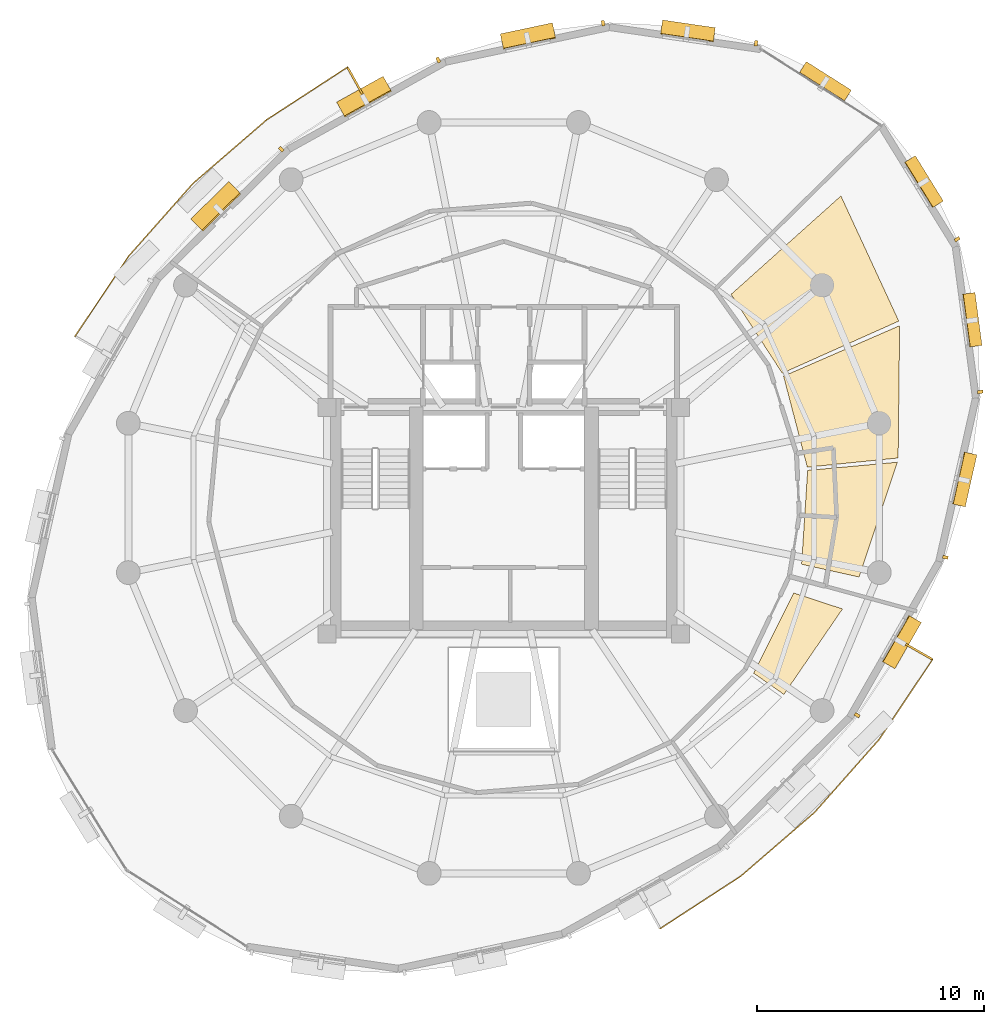
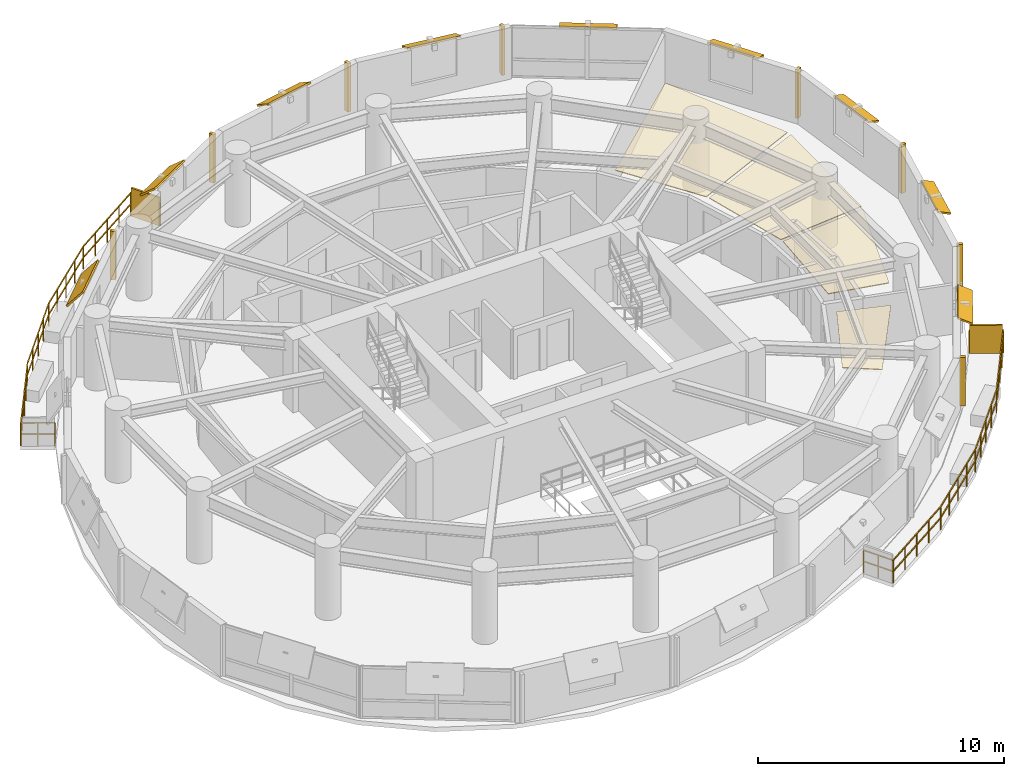
# One storey, part 12 of 12: 19 shading devices, 4 coverings, 2 railings.
"""IFC4 building model written with IfcOpenShell, lengths in metres."""

from ifc_helpers import new_model, si_unit, direction, frame, origin, origin_2d, place, context, subcontext, project, spatial, polyline, rectangle, outline, extrude, material, layer, layer_set, type_object, element, save


model = new_model("IFC4")

# Units and contexts
model_context = context("Model", 3, precision=1e-05, world=origin(), true_north=direction((0.0, 1.0)))
body_context = subcontext(model_context, "Body", "Model", "MODEL_VIEW")
ifc_project = project(units=[si_unit("LENGTHUNIT", "METRE"), si_unit("AREAUNIT", "SQUARE_METRE"), si_unit("VOLUMEUNIT", "CUBIC_METRE"), si_unit("PLANEANGLEUNIT", "RADIAN"), si_unit("MASSUNIT", "GRAM", prefix="KILO"), si_unit("THERMODYNAMICTEMPERATUREUNIT", "KELVIN"), si_unit("POWERUNIT", "WATT")], contexts=[model_context])

# Site, building, storey
site_placement = place(None, origin())
site = spatial("IfcSite", under=ifc_project, at=site_placement, CompositionType="ELEMENT")
building_placement = place(site_placement, origin())
building = spatial("IfcBuilding", under=site, at=building_placement, Name="Ocrelia Relay Tower", CompositionType="ELEMENT")
storey_placement = place(building_placement, frame((0.0, 0.0, 216.800048828125)))
storey = spatial("IfcBuildingStorey", under=building, at=storey_placement, Name="L53", CompositionType="ELEMENT", Elevation=216.800048828125)

# Coverings
ifc_material_1 = material(Name="Mineral-fiber acoustic ceiling tile", Category="gypsum")
ifc_layer_1 = layer(ifc_material_1, 0.0400390625, Name="Mineral-fiber acoustic ceiling tile")
ifc_layer_set_1 = layer_set([ifc_layer_1], Name="Mineral-fiber acoustic ceiling tile")
covering_type = type_object("IfcCoveringType", Name="COV-CEIL-ACOUSTIC", PredefinedType="CEILING", material=ifc_layer_set_1)
covering_1_placement = place(storey_placement, frame((0.0, 0.0, 2.369873046875)))
element("IfcCovering", 1, at=covering_1_placement, inside=storey, type_object=covering_type, Name="L53 Staff Hospitality Study Suspended Ceiling 1", PredefinedType="CEILING", context=body_context, shape_type="SweptSolid", body=[
    extrude(outline(polyline([(47.148193359375, 23.072998046875), (49.682861328125, 22.5087890625), (51.37451171875, 27.576171875), (47.414794921875, 27.216796875), (47.148193359375, 23.072998046875)])), origin(), (0.0, 0.0, 1.0), 0.0400390625),
])
covering_2_placement = place(storey_placement, frame((0.0, 0.0, 2.369873046875)))
element("IfcCovering", 2, at=covering_2_placement, inside=storey, type_object=covering_type, Name="L53 Staff Hospitality Study Suspended Ceiling 2", PredefinedType="CEILING", context=body_context, shape_type="SweptSolid", body=[
    extrude(outline(polyline([(47.4013671875, 27.357421875), (51.409912109375, 27.76318359375), (51.476806640625, 33.60498046875), (46.351318359375, 31.374755859375), (47.4013671875, 27.357421875)])), origin(), (0.0, 0.0, 1.0), 0.0400390625),
])
covering_3_placement = place(storey_placement, frame((0.0, 0.0, 2.369873046875)))
element("IfcCovering", 3, at=covering_3_placement, inside=storey, type_object=covering_type, Name="L53 Staff Hospitality Study Suspended Ceiling 3", PredefinedType="CEILING", context=body_context, shape_type="SweptSolid", body=[
    extrude(outline(polyline([(46.294189453125, 31.50390625), (51.43896484375, 33.806884765625), (48.884033203125, 39.331298828125), (44.03369140625, 34.987060546875), (46.294189453125, 31.50390625)])), origin(), (0.0, 0.0, 1.0), 0.0400390625),
])
covering_4_placement = place(storey_placement, frame((0.0, 0.0, 2.369873046875)))
element("IfcCovering", 4, at=covering_4_placement, inside=storey, type_object=covering_type, Name="L53 Staff Wellness Room Suspended Ceiling 2", PredefinedType="CEILING", context=body_context, shape_type="SweptSolid", body=[
    extrude(outline(polyline([(45.027099609375, 18.264404296875), (46.36669921875, 17.32470703125), (48.95361328125, 21.097900390625), (46.7998046875, 21.803955078125), (45.027099609375, 18.264404296875)])), origin(), (0.0, 0.0, 1.0), 0.0400390625),
])

# Railings
ifc_material_2 = material(Name="Steel S355 balustrade", Category="steel")
railing_type = type_object("IfcRailingType", Name="RL-EXT-GUARD-1150", PredefinedType="GUARDRAIL", material=ifc_material_2)
railing_1_placement = place(storey_placement, frame((16.278564453125, 32.4423828125, 0.0)))
element("IfcRailing", 5, at=railing_1_placement, inside=storey, type_object=railing_type, Name="L53 Loggia Balcony Guard Rail B1", PredefinedType="GUARDRAIL", context=body_context, shape_type="SweptSolid", body=[
    extrude(rectangle(XDim=0.048095703125, YDim=0.048095703125, at=origin_2d()), frame((0.0, 0.0, 1.1259765625), z_axis=(-0.868631007095, 0.495459557899, 0.0), x_axis=(-0.495459557899, -0.868631007095, 0.0)), (0.0, 0.0, 1.0), 1.3935546875),
    extrude(rectangle(XDim=0.048095703125, YDim=0.048095703125, at=origin_2d()), frame((0.0, 0.0, 0.574951171875), z_axis=(-0.868631007095, 0.495459557899, 0.0), x_axis=(-0.495459557899, -0.868631007095, 0.0)), (0.0, 0.0, 1.0), 1.3935546875),
    extrude(rectangle(XDim=0.048095703125, YDim=0.048095703125, at=origin_2d()), frame((-1.21044921875, 0.6904296875, 1.1259765625), z_axis=(0.555388789284, 0.831590820499, 0.0), x_axis=(-0.831590820499, 0.555388789284, 0.0)), (0.0, 0.0, 1.0), 2.126708984375),
    extrude(rectangle(XDim=0.048095703125, YDim=0.048095703125, at=origin_2d()), frame((-1.21044921875, 0.6904296875, 0.574951171875), z_axis=(0.555388789284, 0.831590820499, 0.0), x_axis=(-0.831590820499, 0.555388789284, 0.0)), (0.0, 0.0, 1.0), 2.126708984375),
    extrude(rectangle(XDim=0.048095703125, YDim=0.048095703125, at=origin_2d()), frame((-0.029296875, 2.458984375, 1.1259765625), z_axis=(0.555388789284, 0.831590820499, 0.0), x_axis=(-0.831590820499, 0.555388789284, 0.0)), (0.0, 0.0, 1.0), 2.126708984375),
    extrude(rectangle(XDim=0.048095703125, YDim=0.048095703125, at=origin_2d()), frame((-0.029296875, 2.458984375, 0.574951171875), z_axis=(0.555388789284, 0.831590820499, 0.0), x_axis=(-0.831590820499, 0.555388789284, 0.0)), (0.0, 0.0, 1.0), 2.126708984375),
    extrude(rectangle(XDim=0.048095703125, YDim=0.048095703125, at=origin_2d()), frame((1.15185546875, 4.2275390625, 1.1259765625), z_axis=(0.662747865477, 0.748842618182, 0.0), x_axis=(-0.748842618182, 0.662747865477, 0.0)), (0.0, 0.0, 1.0), 4.299072265625),
    extrude(rectangle(XDim=0.048095703125, YDim=0.048095703125, at=origin_2d()), frame((1.15185546875, 4.2275390625, 0.574951171875), z_axis=(0.662747865477, 0.748842618182, 0.0), x_axis=(-0.748842618182, 0.662747865477, 0.0)), (0.0, 0.0, 1.0), 4.299072265625),
    extrude(rectangle(XDim=0.048095703125, YDim=0.048095703125, at=origin_2d()), frame((4.0009765625, 7.44677734375, 1.1259765625), z_axis=(0.756894511349, 0.653537067572, 0.0), x_axis=(-0.653537067572, 0.756894511349, 0.0)), (0.0, 0.0, 1.0), 4.299072265625),
    extrude(rectangle(XDim=0.048095703125, YDim=0.048095703125, at=origin_2d()), frame((4.0009765625, 7.44677734375, 0.574951171875), z_axis=(0.756894511349, 0.653537067572, 0.0), x_axis=(-0.653537067572, 0.756894511349, 0.0)), (0.0, 0.0, 1.0), 4.299072265625),
    extrude(rectangle(XDim=0.048095703125, YDim=0.048095703125, at=origin_2d()), frame((7.2548828125, 10.25634765625, 1.1259765625), z_axis=(0.838336069448, 0.545153771575, 0.0), x_axis=(-0.545153771575, 0.838336069448, 0.0)), (0.0, 0.0, 1.0), 2.126708984375),
    extrude(rectangle(XDim=0.048095703125, YDim=0.048095703125, at=origin_2d()), frame((7.2548828125, 10.25634765625, 0.574951171875), z_axis=(0.838336069448, 0.545153771575, 0.0), x_axis=(-0.545153771575, 0.838336069448, 0.0)), (0.0, 0.0, 1.0), 2.126708984375),
    extrude(rectangle(XDim=0.048095703125, YDim=0.048095703125, at=origin_2d()), frame((9.037841796875, 11.415771484375, 1.1259765625), z_axis=(0.838301948775, 0.545206238665, 0.0), x_axis=(-0.545206238665, 0.838301948775, 0.0)), (0.0, 0.0, 1.0), 2.12646484375),
    extrude(rectangle(XDim=0.048095703125, YDim=0.048095703125, at=origin_2d()), frame((9.037841796875, 11.415771484375, 0.574951171875), z_axis=(0.838301948775, 0.545206238665, 0.0), x_axis=(-0.545206238665, 0.838301948775, 0.0)), (0.0, 0.0, 1.0), 2.12646484375),
    extrude(rectangle(XDim=0.048095703125, YDim=0.048095703125, at=origin_2d()), frame((10.820556640625, 12.5751953125, 1.1259765625), z_axis=(0.484794772186, -0.874627937389, 0.0), x_axis=(0.874627937389, 0.484794772186, 0.0)), (0.0, 0.0, 1.0), 1.3935546875),
    extrude(rectangle(XDim=0.048095703125, YDim=0.048095703125, at=origin_2d()), frame((10.820556640625, 12.5751953125, 0.574951171875), z_axis=(0.484794772186, -0.874627937389, 0.0), x_axis=(0.874627937389, 0.484794772186, 0.0)), (0.0, 0.0, 1.0), 1.3935546875),
    extrude(rectangle(XDim=0.0419921875, YDim=0.0419921875, at=origin_2d()), origin(), (0.0, 0.0, 1.0), 1.101806640625),
    extrude(rectangle(XDim=0.0419921875, YDim=0.0419921875, at=origin_2d()), frame((-0.605224609375, 0.34521484375, 0.0)), (0.0, 0.0, 1.0), 1.101806640625),
    extrude(rectangle(XDim=0.0419921875, YDim=0.0419921875, at=origin_2d()), frame((-1.21044921875, 0.6904296875, 0.0)), (0.0, 0.0, 1.0), 1.101806640625),
    extrude(rectangle(XDim=0.0419921875, YDim=0.0419921875, at=origin_2d()), frame((-0.619873046875, 1.57470703125, 0.0)), (0.0, 0.0, 1.0), 1.101806640625),
    extrude(rectangle(XDim=0.0419921875, YDim=0.0419921875, at=origin_2d()), frame((-0.029296875, 2.458984375, 0.0)), (0.0, 0.0, 1.0), 1.101806640625),
    extrude(rectangle(XDim=0.0419921875, YDim=0.0419921875, at=origin_2d()), frame((0.561279296875, 3.34326171875, 0.0)), (0.0, 0.0, 1.0), 1.101806640625),
    extrude(rectangle(XDim=0.0419921875, YDim=0.0419921875, at=origin_2d()), frame((1.15185546875, 4.2275390625, 0.0)), (0.0, 0.0, 1.0), 1.101806640625),
    extrude(rectangle(XDim=0.0419921875, YDim=0.0419921875, at=origin_2d()), frame((1.8642578125, 5.0322265625, 0.0)), (0.0, 0.0, 1.0), 1.101806640625),
    extrude(rectangle(XDim=0.0419921875, YDim=0.0419921875, at=origin_2d()), frame((2.576416015625, 5.837158203125, 0.0)), (0.0, 0.0, 1.0), 1.101806640625),
    extrude(rectangle(XDim=0.0419921875, YDim=0.0419921875, at=origin_2d()), frame((3.28857421875, 6.64208984375, 0.0)), (0.0, 0.0, 1.0), 1.101806640625),
    extrude(rectangle(XDim=0.0419921875, YDim=0.0419921875, at=origin_2d()), frame((4.0009765625, 7.44677734375, 0.0)), (0.0, 0.0, 1.0), 1.101806640625),
    extrude(rectangle(XDim=0.0419921875, YDim=0.0419921875, at=origin_2d()), frame((4.814453125, 8.149169921875, 0.0)), (0.0, 0.0, 1.0), 1.101806640625),
    extrude(rectangle(XDim=0.0419921875, YDim=0.0419921875, at=origin_2d()), frame((5.6279296875, 8.8515625, 0.0)), (0.0, 0.0, 1.0), 1.101806640625),
    extrude(rectangle(XDim=0.0419921875, YDim=0.0419921875, at=origin_2d()), frame((6.44140625, 9.553955078125, 0.0)), (0.0, 0.0, 1.0), 1.101806640625),
    extrude(rectangle(XDim=0.0419921875, YDim=0.0419921875, at=origin_2d()), frame((7.2548828125, 10.25634765625, 0.0)), (0.0, 0.0, 1.0), 1.101806640625),
    extrude(rectangle(XDim=0.0419921875, YDim=0.0419921875, at=origin_2d()), frame((8.146484375, 10.8359375, 0.0)), (0.0, 0.0, 1.0), 1.101806640625),
    extrude(rectangle(XDim=0.0419921875, YDim=0.0419921875, at=origin_2d()), frame((9.037841796875, 11.415771484375, 0.0)), (0.0, 0.0, 1.0), 1.101806640625),
    extrude(rectangle(XDim=0.0419921875, YDim=0.0419921875, at=origin_2d()), frame((9.92919921875, 11.99560546875, 0.0)), (0.0, 0.0, 1.0), 1.101806640625),
    extrude(rectangle(XDim=0.0419921875, YDim=0.0419921875, at=origin_2d()), frame((10.820556640625, 12.5751953125, 0.0)), (0.0, 0.0, 1.0), 1.101806640625),
    extrude(rectangle(XDim=0.0419921875, YDim=0.0419921875, at=origin_2d()), frame((11.158203125, 11.9658203125, 0.0)), (0.0, 0.0, 1.0), 1.101806640625),
    extrude(rectangle(XDim=0.0419921875, YDim=0.0419921875, at=origin_2d()), frame((11.49609375, 11.3564453125, 0.0)), (0.0, 0.0, 1.0), 1.101806640625),
])
railing_2_placement = place(storey_placement, frame((51.721435546875, 19.5576171875, 0.0)))
element("IfcRailing", 6, at=railing_2_placement, inside=storey, type_object=railing_type, Name="L53 Loggia Balcony Guard Rail B2", PredefinedType="GUARDRAIL", context=body_context, shape_type="SweptSolid", body=[
    extrude(rectangle(XDim=0.048095703125, YDim=0.048095703125, at=origin_2d()), frame((0.0, 0.0, 1.1259765625), z_axis=(0.868631007095, -0.495459557899, 0.0), x_axis=(0.495459557899, 0.868631007095, 0.0)), (0.0, 0.0, 1.0), 1.3935546875),
    extrude(rectangle(XDim=0.048095703125, YDim=0.048095703125, at=origin_2d()), frame((0.0, 0.0, 0.574951171875), z_axis=(0.868631007095, -0.495459557899, 0.0), x_axis=(0.495459557899, 0.868631007095, 0.0)), (0.0, 0.0, 1.0), 1.3935546875),
    extrude(rectangle(XDim=0.048095703125, YDim=0.048095703125, at=origin_2d()), frame((1.21044921875, -0.6904296875, 1.1259765625), z_axis=(-0.555388789284, -0.831590820499, 0.0), x_axis=(0.831590820499, -0.555388789284, 0.0)), (0.0, 0.0, 1.0), 2.126708984375),
    extrude(rectangle(XDim=0.048095703125, YDim=0.048095703125, at=origin_2d()), frame((1.21044921875, -0.6904296875, 0.574951171875), z_axis=(-0.555388789284, -0.831590820499, 0.0), x_axis=(0.831590820499, -0.555388789284, 0.0)), (0.0, 0.0, 1.0), 2.126708984375),
    extrude(rectangle(XDim=0.048095703125, YDim=0.048095703125, at=origin_2d()), frame((0.029296875, -2.458984375, 1.1259765625), z_axis=(-0.555388789284, -0.831590820499, 0.0), x_axis=(0.831590820499, -0.555388789284, 0.0)), (0.0, 0.0, 1.0), 2.126708984375),
    extrude(rectangle(XDim=0.048095703125, YDim=0.048095703125, at=origin_2d()), frame((0.029296875, -2.458984375, 0.574951171875), z_axis=(-0.555388789284, -0.831590820499, 0.0), x_axis=(0.831590820499, -0.555388789284, 0.0)), (0.0, 0.0, 1.0), 2.126708984375),
    extrude(rectangle(XDim=0.048095703125, YDim=0.048095703125, at=origin_2d()), frame((-1.15185546875, -4.2275390625, 1.1259765625), z_axis=(-0.662747865477, -0.748842618182, 0.0), x_axis=(0.748842618182, -0.662747865477, 0.0)), (0.0, 0.0, 1.0), 4.299072265625),
    extrude(rectangle(XDim=0.048095703125, YDim=0.048095703125, at=origin_2d()), frame((-1.15185546875, -4.2275390625, 0.574951171875), z_axis=(-0.662747865477, -0.748842618182, 0.0), x_axis=(0.748842618182, -0.662747865477, 0.0)), (0.0, 0.0, 1.0), 4.299072265625),
    extrude(rectangle(XDim=0.048095703125, YDim=0.048095703125, at=origin_2d()), frame((-4.0009765625, -7.44677734375, 1.1259765625), z_axis=(-0.756894511349, -0.653537067572, 0.0), x_axis=(0.653537067572, -0.756894511349, 0.0)), (0.0, 0.0, 1.0), 4.299072265625),
    extrude(rectangle(XDim=0.048095703125, YDim=0.048095703125, at=origin_2d()), frame((-4.0009765625, -7.44677734375, 0.574951171875), z_axis=(-0.756894511349, -0.653537067572, 0.0), x_axis=(0.653537067572, -0.756894511349, 0.0)), (0.0, 0.0, 1.0), 4.299072265625),
    extrude(rectangle(XDim=0.048095703125, YDim=0.048095703125, at=origin_2d()), frame((-7.2548828125, -10.25634765625, 1.1259765625), z_axis=(-0.838301948775, -0.545206238665, 0.0), x_axis=(0.545206238665, -0.838301948775, 0.0)), (0.0, 0.0, 1.0), 2.12646484375),
    extrude(rectangle(XDim=0.048095703125, YDim=0.048095703125, at=origin_2d()), frame((-7.2548828125, -10.25634765625, 0.574951171875), z_axis=(-0.838301948775, -0.545206238665, 0.0), x_axis=(0.545206238665, -0.838301948775, 0.0)), (0.0, 0.0, 1.0), 2.12646484375),
    extrude(rectangle(XDim=0.048095703125, YDim=0.048095703125, at=origin_2d()), frame((-9.03759765625, -11.415771484375, 1.1259765625), z_axis=(-0.838336069448, -0.545153771575, 0.0), x_axis=(0.545153771575, -0.838336069448, 0.0)), (0.0, 0.0, 1.0), 2.126708984375),
    extrude(rectangle(XDim=0.048095703125, YDim=0.048095703125, at=origin_2d()), frame((-9.03759765625, -11.415771484375, 0.574951171875), z_axis=(-0.838336069448, -0.545153771575, 0.0), x_axis=(0.545153771575, -0.838336069448, 0.0)), (0.0, 0.0, 1.0), 2.126708984375),
    extrude(rectangle(XDim=0.048095703125, YDim=0.048095703125, at=origin_2d()), frame((-10.820556640625, -12.5751953125, 1.1259765625), z_axis=(-0.484794772186, 0.874627937389, 0.0), x_axis=(-0.874627937389, -0.484794772186, 0.0)), (0.0, 0.0, 1.0), 1.3935546875),
    extrude(rectangle(XDim=0.048095703125, YDim=0.048095703125, at=origin_2d()), frame((-10.820556640625, -12.5751953125, 0.574951171875), z_axis=(-0.484794772186, 0.874627937389, 0.0), x_axis=(-0.874627937389, -0.484794772186, 0.0)), (0.0, 0.0, 1.0), 1.3935546875),
    extrude(rectangle(XDim=0.0419921875, YDim=0.0419921875, at=origin_2d()), origin(), (0.0, 0.0, 1.0), 1.101806640625),
    extrude(rectangle(XDim=0.0419921875, YDim=0.0419921875, at=origin_2d()), frame((0.605224609375, -0.34521484375, 0.0)), (0.0, 0.0, 1.0), 1.101806640625),
    extrude(rectangle(XDim=0.0419921875, YDim=0.0419921875, at=origin_2d()), frame((1.21044921875, -0.6904296875, 0.0)), (0.0, 0.0, 1.0), 1.101806640625),
    extrude(rectangle(XDim=0.0419921875, YDim=0.0419921875, at=origin_2d()), frame((0.619873046875, -1.57470703125, 0.0)), (0.0, 0.0, 1.0), 1.101806640625),
    extrude(rectangle(XDim=0.0419921875, YDim=0.0419921875, at=origin_2d()), frame((0.029296875, -2.458984375, 0.0)), (0.0, 0.0, 1.0), 1.101806640625),
    extrude(rectangle(XDim=0.0419921875, YDim=0.0419921875, at=origin_2d()), frame((-0.561279296875, -3.34326171875, 0.0)), (0.0, 0.0, 1.0), 1.101806640625),
    extrude(rectangle(XDim=0.0419921875, YDim=0.0419921875, at=origin_2d()), frame((-1.15185546875, -4.2275390625, 0.0)), (0.0, 0.0, 1.0), 1.101806640625),
    extrude(rectangle(XDim=0.0419921875, YDim=0.0419921875, at=origin_2d()), frame((-1.8642578125, -5.0322265625, 0.0)), (0.0, 0.0, 1.0), 1.101806640625),
    extrude(rectangle(XDim=0.0419921875, YDim=0.0419921875, at=origin_2d()), frame((-2.576416015625, -5.837158203125, 0.0)), (0.0, 0.0, 1.0), 1.101806640625),
    extrude(rectangle(XDim=0.0419921875, YDim=0.0419921875, at=origin_2d()), frame((-3.28857421875, -6.64208984375, 0.0)), (0.0, 0.0, 1.0), 1.101806640625),
    extrude(rectangle(XDim=0.0419921875, YDim=0.0419921875, at=origin_2d()), frame((-4.0009765625, -7.44677734375, 0.0)), (0.0, 0.0, 1.0), 1.101806640625),
    extrude(rectangle(XDim=0.0419921875, YDim=0.0419921875, at=origin_2d()), frame((-4.814453125, -8.149169921875, 0.0)), (0.0, 0.0, 1.0), 1.101806640625),
    extrude(rectangle(XDim=0.0419921875, YDim=0.0419921875, at=origin_2d()), frame((-5.6279296875, -8.8515625, 0.0)), (0.0, 0.0, 1.0), 1.101806640625),
    extrude(rectangle(XDim=0.0419921875, YDim=0.0419921875, at=origin_2d()), frame((-6.44140625, -9.553955078125, 0.0)), (0.0, 0.0, 1.0), 1.101806640625),
    extrude(rectangle(XDim=0.0419921875, YDim=0.0419921875, at=origin_2d()), frame((-7.2548828125, -10.25634765625, 0.0)), (0.0, 0.0, 1.0), 1.101806640625),
    extrude(rectangle(XDim=0.0419921875, YDim=0.0419921875, at=origin_2d()), frame((-8.146240234375, -10.8359375, 0.0)), (0.0, 0.0, 1.0), 1.101806640625),
    extrude(rectangle(XDim=0.0419921875, YDim=0.0419921875, at=origin_2d()), frame((-9.03759765625, -11.415771484375, 0.0)), (0.0, 0.0, 1.0), 1.101806640625),
    extrude(rectangle(XDim=0.0419921875, YDim=0.0419921875, at=origin_2d()), frame((-9.92919921875, -11.99560546875, 0.0)), (0.0, 0.0, 1.0), 1.101806640625),
    extrude(rectangle(XDim=0.0419921875, YDim=0.0419921875, at=origin_2d()), frame((-10.820556640625, -12.5751953125, 0.0)), (0.0, 0.0, 1.0), 1.101806640625),
    extrude(rectangle(XDim=0.0419921875, YDim=0.0419921875, at=origin_2d()), frame((-11.158203125, -11.9658203125, 0.0)), (0.0, 0.0, 1.0), 1.101806640625),
    extrude(rectangle(XDim=0.0419921875, YDim=0.0419921875, at=origin_2d()), frame((-11.49609375, -11.3564453125, 0.0)), (0.0, 0.0, 1.0), 1.101806640625),
])

# Shading devices
ifc_material_3 = material(Name="Perforated oxide terracotta solar screen", Category="masonry")
ifc_layer_2 = layer(ifc_material_3, 0.090087890625, Name="Perforated oxide terracotta solar screen")
ifc_layer_set_2 = layer_set([ifc_layer_2], Name="Perforated oxide terracotta solar screen")
shading_device_type_1 = type_object("IfcShadingDeviceType", Name="SH-BALC-SCREEN", PredefinedType="USERDEFINED", material=ifc_layer_set_2)
for number, where, z_axis, x_axis, name in (
    (7, (27.436767578125, 44.408203125, 0.0), (0.0, 0.0, 1.0), (-0.484844512064, 0.874600365379, 0.0), "L53 Balcony Perforated Terracotta Screen B1-1"),
    (8, (52.32666015625, 19.21240234375, 0.0), (0.0, 0.0, 1.0), (0.868600619707, -0.495512828739, 0.0), "L53 Balcony Perforated Terracotta Screen B2-2"),
):
    element("IfcShadingDevice", number, at=place(storey_placement, frame(where, z_axis=z_axis, x_axis=x_axis)), inside=storey, type_object=shading_device_type_1, Name=name, ObjectType="SCREEN", PredefinedType="USERDEFINED", context=body_context, shape_type="SweptSolid", body=[
        extrude(rectangle(XDim=1.340087890625, YDim=0.090087890625, at=origin_2d()), origin(), (0.0, 0.0, 1.0), 1.39990234375),
    ])
ifc_material_4 = material(Name="Extruded oxide terracotta vertical baguette", Category="masonry")
shading_device_type_2 = type_object("IfcShadingDeviceType", Name="SH-TERR-BAGUETTE", PredefinedType="USERDEFINED", material=ifc_material_4)
for number, where, z_axis, x_axis, name in (
    (9, (45.13623046875, 46.07080078125, 0.0751953125), (0.0, 0.0, 1.0), (-0.989510431186, 0.144461436284, 0.0), "L53 Oxide Terracotta Vertical Baguette 02"),
    (10, (38.3837890625, 46.958251953125, 0.0751953125), (0.0, 0.0, 1.0), (-0.978312051841, -0.207136499013, 0.0), "L53 Oxide Terracotta Vertical Baguette 03"),
    (11, (31.107666015625, 45.3349609375, 0.0751953125), (0.0, 0.0, 1.0), (-0.873842907612, -0.48620836358, 0.0), "L53 Oxide Terracotta Vertical Baguette 04"),
    (12, (24.169921875, 41.3916015625, 0.0751953125), (0.0, 0.0, 1.0), (-0.711412639885, -0.702774541238, 0.0), "L53 Oxide Terracotta Vertical Baguette 05"),
    (13, (49.59814453125, 16.40869140625, 0.0751953125), (0.0, 0.0, 1.0), (0.496843859187, 0.867839950445, 0.0), "L53 Oxide Terracotta Vertical Baguette 15"),
    (14, (53.494873046875, 23.3779296875, 0.0751953125), (0.0, 0.0, 1.0), (0.219071172147, 0.975708881549, 0.0), "L53 Oxide Terracotta Vertical Baguette 16"),
    (15, (55.03466796875, 30.680419921875, 0.0751953125), (0.0, 0.0, 1.0), (-0.13236376712, 0.9912012072, 0.0), "L53 Oxide Terracotta Vertical Baguette 17"),
    (16, (54.015380859375, 37.4228515625, 0.0751953125), (0.0, 0.0, 1.0), (-0.525018043545, 0.851091096154, 0.0), "L53 Oxide Terracotta Vertical Baguette 18"),
):
    element("IfcShadingDevice", number, at=place(storey_placement, frame(where, z_axis=z_axis, x_axis=x_axis)), inside=storey, type_object=shading_device_type_2, Name=name, ObjectType="BAGUETTE", PredefinedType="USERDEFINED", context=body_context, shape_type="SweptSolid", body=[
        extrude(rectangle(XDim=0.139892578125, YDim=0.239990234375, at=origin_2d()), origin(), (0.0, 0.0, 1.0), 2.409912109375),
    ])
ifc_material_5 = material(Name="Extruded oxide terracotta fin", Category="masonry")
ifc_layer_3 = layer(ifc_material_5, 0.080078125, Name="Extruded oxide terracotta fin")
ifc_layer_set_3 = layer_set([ifc_layer_3], Name="Extruded oxide terracotta fin")
shading_device_type_3 = type_object("IfcShadingDeviceType", Name="SH-VISOR-FIN-MED", PredefinedType="USERDEFINED", material=ifc_layer_set_3)
shading_device_1_placement = place(storey_placement, frame((27.841796875, 43.693115234375, 2.369140625), z_axis=(-0.30979008555, 0.556773369987, 0.770735698776), x_axis=(-0.873842907612, -0.48620836358, 0.0)))
element("IfcShadingDevice", 17, at=shading_device_1_placement, inside=storey, type_object=shading_device_type_3, Name="L53 Canted Terracotta Sun-Visor Fin 04", ObjectType="FIN", PredefinedType="USERDEFINED", context=body_context, shape_type="SweptSolid", body=[
    extrude(rectangle(XDim=2.35009765625, YDim=0.909912109375, at=origin_2d()), origin(), (0.0, 0.0, 1.0), 0.080078125),
])
shading_device_2_placement = place(storey_placement, frame((21.306884765625, 38.84912109375, 2.374267578125), z_axis=(-0.538908028294, 0.545531974434, 0.641851230356), x_axis=(-0.711412639885, -0.702774541238, 0.0)))
element("IfcShadingDevice", 18, at=shading_device_2_placement, inside=storey, type_object=shading_device_type_3, Name="L53 Canted Terracotta Sun-Visor Fin 05", ObjectType="FIN", PredefinedType="USERDEFINED", context=body_context, shape_type="SweptSolid", body=[
    extrude(rectangle(XDim=2.35009765625, YDim=1.0849609375, at=origin_2d()), origin(), (0.0, 0.0, 1.0), 0.080078125),
])
ifc_layer_4 = layer(ifc_material_5, 0.080078125, Name="Extruded oxide terracotta fin")
ifc_layer_set_4 = layer_set([ifc_layer_4], Name="Extruded oxide terracotta fin")
shading_device_type_4 = type_object("IfcShadingDeviceType", Name="SH-VISOR-FIN-SHAL", PredefinedType="USERDEFINED", material=ifc_layer_set_4)
shading_device_3_placement = place(storey_placement, frame((48.185791015625, 44.373291015625, 2.362548828125), z_axis=(0.189069722279, 0.29827228388, 0.935567359834), x_axis=(-0.844609167729, 0.535383370855, 0.0)))
element("IfcShadingDevice", 19, at=shading_device_3_placement, inside=storey, type_object=shading_device_type_4, Name="L53 Canted Terracotta Sun-Visor Fin 01", ObjectType="FIN", PredefinedType="USERDEFINED", context=body_context, shape_type="SweptSolid", body=[
    extrude(rectangle(XDim=2.35009765625, YDim=0.594970703125, at=origin_2d()), origin(), (0.0, 0.0, 1.0), 0.080078125),
])
shading_device_4_placement = place(storey_placement, frame((42.12744140625, 46.60009765625, 2.363525390625), z_axis=(0.060090667841, 0.411600107093, 0.909381363059), x_axis=(-0.989510431186, 0.144461436284, 0.0)))
element("IfcShadingDevice", 20, at=shading_device_4_placement, inside=storey, type_object=shading_device_type_4, Name="L53 Canted Terracotta Sun-Visor Fin 02", ObjectType="FIN", PredefinedType="USERDEFINED", context=body_context, shape_type="SweptSolid", body=[
    extrude(rectangle(XDim=2.35009765625, YDim=0.659912109375, at=origin_2d()), origin(), (0.0, 0.0, 1.0), 0.080078125),
])
shading_device_5_placement = place(storey_placement, frame((35.071533203125, 46.36962890625, 2.365478515625), z_axis=(-0.105845314608, 0.499910674389, 0.859584834096), x_axis=(-0.978312051841, -0.207136499013, 0.0)))
element("IfcShadingDevice", 21, at=shading_device_5_placement, inside=storey, type_object=shading_device_type_4, Name="L53 Canted Terracotta Sun-Visor Fin 03", ObjectType="FIN", PredefinedType="USERDEFINED", context=body_context, shape_type="SweptSolid", body=[
    extrude(rectangle(XDim=2.35009765625, YDim=0.761962890625, at=origin_2d()), origin(), (0.0, 0.0, 1.0), 0.080078125),
])
shading_device_6_placement = place(storey_placement, frame((51.56005859375, 19.644775390625, 2.363525390625), z_axis=(0.366765011326, -0.209975288126, 0.906307787037), x_axis=(0.496843859187, 0.867839950445, 0.0)))
element("IfcShadingDevice", 22, at=shading_device_6_placement, inside=storey, type_object=shading_device_type_4, Name="L53 Canted Terracotta Sun-Visor Fin 15", ObjectType="FIN", PredefinedType="USERDEFINED", context=body_context, shape_type="SweptSolid", body=[
    extrude(rectangle(XDim=2.35009765625, YDim=0.6669921875, at=origin_2d()), origin(), (0.0, 0.0, 1.0), 0.080078125),
])
shading_device_7_placement = place(storey_placement, frame((54.33740234375, 26.819091796875, 2.3623046875), z_axis=(0.331470770192, -0.074423520716, 0.940525527603), x_axis=(0.219071172147, 0.975708881549, 0.0)))
element("IfcShadingDevice", 23, at=shading_device_7_placement, inside=storey, type_object=shading_device_type_4, Name="L53 Canted Terracotta Sun-Visor Fin 16", ObjectType="FIN", PredefinedType="USERDEFINED", context=body_context, shape_type="SweptSolid", body=[
    extrude(rectangle(XDim=2.35009765625, YDim=0.5810546875, at=origin_2d()), origin(), (0.0, 0.0, 1.0), 0.080078125),
])
shading_device_8_placement = place(storey_placement, frame((54.673583984375, 33.864990234375, 2.36181640625), z_axis=(0.307285030692, 0.041034457935, 0.950732393039), x_axis=(-0.13236376712, 0.9912012072, 0.0)))
element("IfcShadingDevice", 24, at=shading_device_8_placement, inside=storey, type_object=shading_device_type_4, Name="L53 Canted Terracotta Sun-Visor Fin 17", ObjectType="FIN", PredefinedType="USERDEFINED", context=body_context, shape_type="SweptSolid", body=[
    extrude(rectangle(XDim=2.35009765625, YDim=0.551025390625, at=origin_2d()), origin(), (0.0, 0.0, 1.0), 0.080078125),
])
shading_device_9_placement = place(storey_placement, frame((52.53857421875, 39.955078125, 2.36181640625), z_axis=(0.270336885851, 0.16676445512, 0.948212837214), x_axis=(-0.525018043545, 0.851091096154, 0.0)))
element("IfcShadingDevice", 25, at=shading_device_9_placement, inside=storey, type_object=shading_device_type_4, Name="L53 Canted Terracotta Sun-Visor Fin 18", ObjectType="FIN", PredefinedType="USERDEFINED", context=body_context, shape_type="SweptSolid", body=[
    extrude(rectangle(XDim=2.35009765625, YDim=0.55908203125, at=origin_2d()), origin(), (0.0, 0.0, 1.0), 0.080078125),
])

save(model, "model.ifc")
